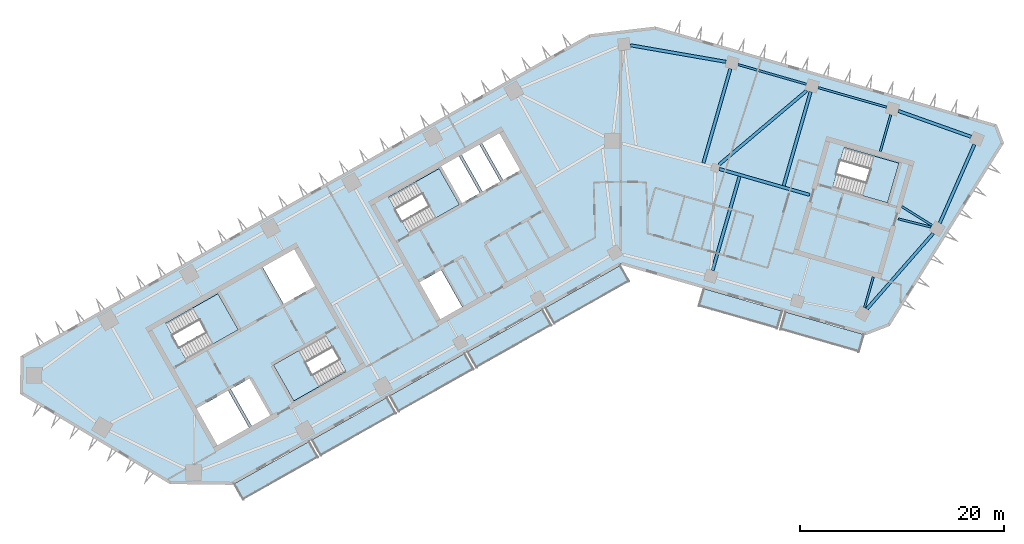
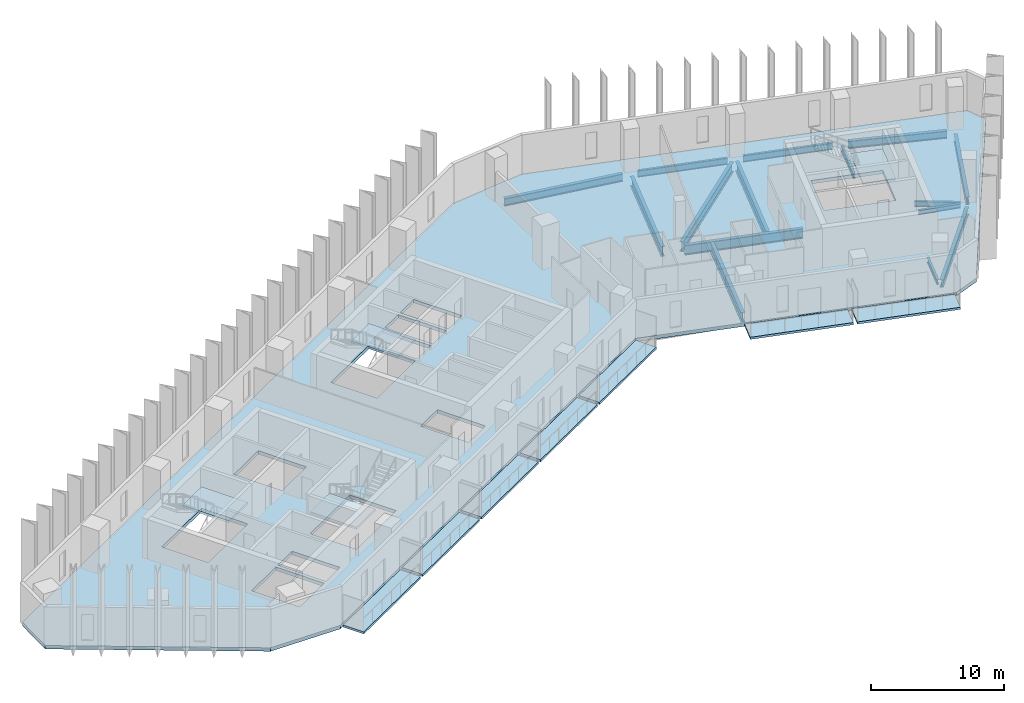
# One storey, part 2 of 10: 15 beams, 12 slabs, 4 elements without a shape of their own.
"""IFC4 building model written with IfcOpenShell, lengths in metres."""

from ifc_helpers import new_model, si_unit, direction, frame, origin, origin_2d, place, context, subcontext, project, spatial, polyline, i_section, outline, extrude, material, layer, layer_set, material_profile, profile_set, type_object, element, aggregate, save


model = new_model("IFC4")

# Units and contexts
model_context = context("Model", 3, precision=1e-05, world=origin(), true_north=direction((0.0, 1.0)))
body_context = subcontext(model_context, "Body", "Model", "MODEL_VIEW")
ifc_project = project(units=[si_unit("LENGTHUNIT", "METRE"), si_unit("AREAUNIT", "SQUARE_METRE"), si_unit("VOLUMEUNIT", "CUBIC_METRE"), si_unit("PLANEANGLEUNIT", "RADIAN"), si_unit("MASSUNIT", "GRAM", prefix="KILO")], contexts=[model_context])

# Site, building, storey
site_placement = place(None, origin())
site = spatial("IfcSite", under=ifc_project, at=site_placement, CompositionType="ELEMENT")
building_placement = place(site_placement, origin())
building = spatial("IfcBuilding", under=site, at=building_placement, Name="Binnacle Exchange Tower", CompositionType="ELEMENT")
storey_placement = place(building_placement, frame((0.0, 0.0, 186.89990234375)))
storey = spatial("IfcBuildingStorey", under=building, at=storey_placement, Name="L40", CompositionType="ELEMENT", Elevation=186.89990234375)

# Beams
ifc_material_1 = material(Name="Steel S355 (SHN355)", Category="steel")
ifc_material_profile_1 = material_profile(ifc_material_1, i_section(OverallWidth=0.201904296875, OverallDepth=0.612060546875, WebThickness=0.012939453125, FlangeThickness=0.02294921875, FilletRadius=0.02197265625, at=origin_2d()), Name="H 612x202x13x23")
ifc_profile_set_1 = profile_set([ifc_material_profile_1], Name="Steel S355 (SHN355)")
beam_type_1 = type_object("IfcBeamType", Name="Edge girder H 612x202x13x23 Steel S355 (SHN355)", PredefinedType="SPANDREL", material=ifc_profile_set_1)
for number, where, z_axis, x_axis, name in (
    (1, (18.16943359375, 65.54150390625, -0.6259765625), (-0.961255274252, 0.275659749916, 0.0), (-0.275659749916, -0.961255274252, 0.0), "S:BM:edge:L40:029"),
    (2, (26.02587890625, 63.288818359375, -0.6259765625), (-0.961267211469, 0.275618120149, 0.0), (-0.275618120149, -0.961267211469, 0.0), "S:BM:edge:L40:031"),
):
    element("IfcBeam", number, at=place(storey_placement, frame(where, z_axis=z_axis, x_axis=x_axis)), inside=storey, type_object=beam_type_1, Name=name, PredefinedType="SPANDREL", context=body_context, shape_type="SweptSolid", body=[
        extrude(i_section(OverallWidth=0.201904296875, OverallDepth=0.612060546875, WebThickness=0.012939453125, FlangeThickness=0.02294921875, FilletRadius=0.02197265625, at=origin_2d()), origin(), (0.0, 0.0, 1.0), 6.972900390625),
    ])
ifc_material_profile_2 = material_profile(ifc_material_1, i_section(OverallWidth=0.300048828125, OverallDepth=0.699951171875, WebThickness=0.012939453125, FlangeThickness=0.02392578125, FilletRadius=0.028076171875, at=origin_2d()), Name="H 700x300x13x24")
ifc_profile_set_2 = profile_set([ifc_material_profile_2], Name="Steel S355 (SHN355)")
beam_type_2 = type_object("IfcBeamType", Name="Edge girder H 700x300x13x24 Steel S355 (SHN355)", PredefinedType="SPANDREL", material=ifc_profile_set_2)
beam_1_placement = place(storey_placement, frame((31.234130859375, 51.94091796875, -0.669921875), z_axis=(0.403470856186, 0.914992496258, 0.0), x_axis=(-0.914992496258, 0.403470856186, 0.0)))
element("IfcBeam", 3, at=beam_1_placement, inside=storey, type_object=beam_type_2, Name="S:BM:edge:L40:032", PredefinedType="SPANDREL", context=body_context, shape_type="SweptSolid", body=[
    extrude(i_section(OverallWidth=0.300048828125, OverallDepth=0.699951171875, WebThickness=0.012939453125, FlangeThickness=0.02392578125, FilletRadius=0.028076171875, at=origin_2d()), origin(), (0.0, 0.0, 1.0), 8.412109375),
])
beam_2_placement = place(storey_placement, frame((34.30419921875, 60.38818359375, -0.669921875), z_axis=(-0.942327723458, 0.334691591771, 0.0), x_axis=(-0.334691591771, -0.942327723458, 0.0)))
element("IfcBeam", 4, at=beam_2_placement, inside=storey, type_object=beam_type_2, Name="S:BM:edge:L40:033", PredefinedType="SPANDREL", context=body_context, shape_type="SweptSolid", body=[
    extrude(i_section(OverallWidth=0.300048828125, OverallDepth=0.699951171875, WebThickness=0.012939453125, FlangeThickness=0.02392578125, FilletRadius=0.028076171875, at=origin_2d()), origin(), (0.0, 0.0, 1.0), 7.57177734375),
])
ifc_material_profile_3 = material_profile(ifc_material_1, i_section(OverallWidth=0.302001953125, OverallDepth=0.7080078125, WebThickness=0.014892578125, FlangeThickness=0.028076171875, FilletRadius=0.028076171875, at=origin_2d()), Name="H 708x302x15x28")
ifc_profile_set_3 = profile_set([ifc_material_profile_3], Name="Steel S355 (SHN355)")
beam_type_3 = type_object("IfcBeamType", Name="Edge girder H 708x302x15x28 Steel S355 (SHN355)", PredefinedType="SPANDREL", material=ifc_profile_set_3)
beam_3_placement = place(storey_placement, frame((10.29541015625, 67.73193359375, -0.673828125), z_axis=(-0.985309861954, 0.170776098841, 0.0), x_axis=(-0.170776098841, -0.985309861954, 0.0)))
element("IfcBeam", 5, at=beam_3_placement, inside=storey, type_object=beam_type_3, Name="S:BM:edge:L40:027", PredefinedType="SPANDREL", context=body_context, shape_type="SweptSolid", body=[
    extrude(i_section(OverallWidth=0.302001953125, OverallDepth=0.7080078125, WebThickness=0.014892578125, FlangeThickness=0.028076171875, FilletRadius=0.028076171875, at=origin_2d()), origin(), (0.0, 0.0, 1.0), 9.518310546875),
])
beam_4_placement = place(storey_placement, frame((24.09326171875, 43.5224609375, -0.673828125), z_axis=(0.659335841855, 0.751848553663, 0.0), x_axis=(-0.751848553663, 0.659335841855, 0.0)))
element("IfcBeam", 6, at=beam_4_placement, inside=storey, type_object=beam_type_3, Name="S:BM:edge:L40:030", PredefinedType="SPANDREL", context=body_context, shape_type="SweptSolid", body=[
    extrude(i_section(OverallWidth=0.302001953125, OverallDepth=0.7080078125, WebThickness=0.014892578125, FlangeThickness=0.028076171875, FilletRadius=0.028076171875, at=origin_2d()), origin(), (0.0, 0.0, 1.0), 9.851318359375),
])
ifc_material_profile_4 = material_profile(ifc_material_1, i_section(OverallWidth=0.199951171875, OverallDepth=0.449951171875, WebThickness=0.009033203125, FlangeThickness=0.013916015625, FilletRadius=0.01806640625, at=origin_2d()), Name="H 450x200x9x14")
ifc_profile_set_4 = profile_set([ifc_material_profile_4], Name="Steel S355 (SHN355)")
beam_type_4 = type_object("IfcBeamType", Name="Floor beam H 450x200x9x14 Steel S355 (SHN355)", PredefinedType="BEAM", material=ifc_profile_set_4)
beam_5_placement = place(storey_placement, frame((23.860595703125, 43.6572265625, -0.544921875), z_axis=(0.275637043779, 0.961261785414, 0.0), x_axis=(-0.961261785414, 0.275637043779, 0.0)))
element("IfcBeam", 7, at=beam_5_placement, inside=storey, type_object=beam_type_4, Name="S:BM:cross:L40:051", PredefinedType="BEAM", context=body_context, shape_type="SweptSolid", body=[
    extrude(i_section(OverallWidth=0.199951171875, OverallDepth=0.449951171875, WebThickness=0.009033203125, FlangeThickness=0.013916015625, FilletRadius=0.01806640625, at=origin_2d()), origin(), (0.0, 0.0, 1.0), 3.1328125),
])
ifc_material_profile_5 = material_profile(ifc_material_1, i_section(OverallWidth=0.199951171875, OverallDepth=0.5, WebThickness=0.010009765625, FlangeThickness=0.01611328125, FilletRadius=0.02001953125, at=origin_2d()), Name="H 500x200x10x16")
ifc_profile_set_5 = profile_set([ifc_material_profile_5], Name="Steel S355 (SHN355)")
beam_type_5 = type_object("IfcBeamType", Name="Floor beam H 500x200x10x16 Steel S355 (SHN355)", PredefinedType="BEAM", material=ifc_profile_set_5)
beam_6_placement = place(storey_placement, frame((26.437255859375, 62.546630859375, -0.56982421875), z_axis=(-0.275644746045, -0.961259576794, 0.0), x_axis=(0.961259576794, -0.275644746045, 0.0)))
element("IfcBeam", 8, at=beam_6_placement, inside=storey, type_object=beam_type_5, Name="S:BM:cross:L40:052", PredefinedType="BEAM", context=body_context, shape_type="SweptSolid", body=[
    extrude(i_section(OverallWidth=0.199951171875, OverallDepth=0.5, WebThickness=0.010009765625, FlangeThickness=0.01611328125, FilletRadius=0.02001953125, at=origin_2d()), origin(), (0.0, 0.0, 1.0), 3.735107421875),
])
beam_7_placement = place(storey_placement, frame((30.480712890625, 51.704345703125, -0.56982421875), z_axis=(-0.848084620748, 0.529860808186, 0.0), x_axis=(-0.529860808186, -0.848084620748, 0.0)))
element("IfcBeam", 9, at=beam_7_placement, inside=storey, type_object=beam_type_5, Name="S:BM:cross:L40:053", PredefinedType="BEAM", context=body_context, shape_type="SweptSolid", body=[
    extrude(i_section(OverallWidth=0.199951171875, OverallDepth=0.5, WebThickness=0.010009765625, FlangeThickness=0.01611328125, FilletRadius=0.02001953125, at=origin_2d()), origin(), (0.0, 0.0, 1.0), 3.495361328125),
])
ifc_material_profile_6 = material_profile(ifc_material_1, i_section(OverallWidth=0.302001953125, OverallDepth=0.912109375, WebThickness=0.01806640625, FlangeThickness=0.033935546875, FilletRadius=0.028076171875, at=origin_2d()), Name="H 912x302x18x34")
ifc_profile_set_6 = profile_set([ifc_material_profile_6], Name="Steel S355 (SHN355)")
beam_type_6 = type_object("IfcBeamType", Name="Floor beam H 912x302x18x34 Steel S355 (SHN355)", PredefinedType="BEAM", material=ifc_profile_set_6)
beam_8_placement = place(storey_placement, frame((8.974853515625, 47.299072265625, -0.77587890625), z_axis=(0.275642748758, 0.961260149521, 0.0), x_axis=(-0.961260149521, 0.275642748758, 0.0)))
element("IfcBeam", 10, at=beam_8_placement, inside=storey, type_object=beam_type_6, Name="S:BM:cross:L40:047", PredefinedType="BEAM", context=body_context, shape_type="SweptSolid", body=[
    extrude(i_section(OverallWidth=0.302001953125, OverallDepth=0.912109375, WebThickness=0.01806640625, FlangeThickness=0.033935546875, FilletRadius=0.028076171875, at=origin_2d()), origin(), (0.0, 0.0, 1.0), 9.585205078125),
])
beam_9_placement = place(storey_placement, frame((10.724609375, 67.05224609375, -0.77587890625), z_axis=(-0.275623285325, -0.961265730475, 0.0), x_axis=(0.961265730475, -0.275623285325, 0.0)))
element("IfcBeam", 11, at=beam_9_placement, inside=storey, type_object=beam_type_6, Name="S:BM:cross:L40:048", PredefinedType="BEAM", context=body_context, shape_type="SweptSolid", body=[
    extrude(i_section(OverallWidth=0.302001953125, OverallDepth=0.912109375, WebThickness=0.01806640625, FlangeThickness=0.033935546875, FilletRadius=0.028076171875, at=origin_2d()), origin(), (0.0, 0.0, 1.0), 9.61328125),
])
beam_10_placement = place(storey_placement, frame((18.580810546875, 64.79931640625, -0.77587890625), z_axis=(-0.275625961623, -0.961264963098, 0.0), x_axis=(0.961264963098, -0.275625961623, 0.0)))
element("IfcBeam", 12, at=beam_10_placement, inside=storey, type_object=beam_type_6, Name="S:BM:cross:L40:050", PredefinedType="BEAM", context=body_context, shape_type="SweptSolid", body=[
    extrude(i_section(OverallWidth=0.302001953125, OverallDepth=0.912109375, WebThickness=0.01806640625, FlangeThickness=0.033935546875, FilletRadius=0.028076171875, at=origin_2d()), origin(), (0.0, 0.0, 1.0), 9.5849609375),
])
ifc_material_profile_7 = material_profile(ifc_material_1, i_section(OverallWidth=0.199951171875, OverallDepth=0.39990234375, WebThickness=0.008056640625, FlangeThickness=0.012939453125, FilletRadius=0.01611328125, at=origin_2d()), Name="H 400x200x8x13")
ifc_profile_set_7 = profile_set([ifc_material_profile_7], Name="Steel S355 (SHN355)")
beam_type_7 = type_object("IfcBeamType", Name="Spine girder H 400x200x8x13 Steel S355 (SHN355)", PredefinedType="BEAM", material=ifc_profile_set_7)
beam_11_placement = place(storey_placement, frame((27.17138671875, 52.35400390625, -0.52001953125), z_axis=(0.969342999561, -0.245711516217, 0.0), x_axis=(0.245711516217, 0.969342999561, 0.0)))
element("IfcBeam", 13, at=beam_11_placement, inside=storey, type_object=beam_type_7, Name="S:BM:spine:L40:010", PredefinedType="BEAM", context=body_context, shape_type="SweptSolid", body=[
    extrude(i_section(OverallWidth=0.199951171875, OverallDepth=0.39990234375, WebThickness=0.008056640625, FlangeThickness=0.012939453125, FilletRadius=0.01611328125, at=origin_2d()), origin(), (0.0, 0.0, 1.0), 3.30859375),
])
ifc_material_profile_8 = material_profile(ifc_material_1, i_section(OverallWidth=0.302001953125, OverallDepth=0.912109375, WebThickness=0.01806640625, FlangeThickness=0.033935546875, FilletRadius=0.028076171875, at=origin_2d()), Name="H 912x302x18x34")
ifc_profile_set_8 = profile_set([ifc_material_profile_8], Name="Steel S355 (SHN355)")
beam_type_8 = type_object("IfcBeamType", Name="Spine girder H 912x302x18x34 Steel S355 (SHN355)", PredefinedType="BEAM", material=ifc_profile_set_8)
beam_12_placement = place(storey_placement, frame((9.60888671875, 57.660888671875, -0.77587890625), z_axis=(0.764057522707, 0.645148124073, 0.0), x_axis=(-0.645148124073, 0.764057522707, 0.0)))
element("IfcBeam", 14, at=beam_12_placement, inside=storey, type_object=beam_type_8, Name="S:BM:spine:L40:008", PredefinedType="BEAM", context=body_context, shape_type="SweptSolid", body=[
    extrude(i_section(OverallWidth=0.302001953125, OverallDepth=0.912109375, WebThickness=0.01806640625, FlangeThickness=0.033935546875, FilletRadius=0.028076171875, at=origin_2d()), origin(), (0.0, 0.0, 1.0), 11.237060546875),
])
beam_13_placement = place(storey_placement, frame((9.62548828125, 57.239990234375, -0.77587890625), z_axis=(0.961259511383, -0.275644974153, 0.0), x_axis=(0.275644974153, 0.961259511383, 0.0)))
element("IfcBeam", 15, at=beam_13_placement, inside=storey, type_object=beam_type_8, Name="S:BM:spine:L40:009", PredefinedType="BEAM", context=body_context, shape_type="SweptSolid", body=[
    extrude(i_section(OverallWidth=0.302001953125, OverallDepth=0.912109375, WebThickness=0.01806640625, FlangeThickness=0.033935546875, FilletRadius=0.028076171875, at=origin_2d()), origin(), (0.0, 0.0, 1.0), 9.213134765625),
])

# Slabs
ifc_material_2 = material(Name="Concrete C35/45", Category="concrete")
ifc_layer_1 = layer(ifc_material_2, 0.199951171875)
ifc_layer_set_1 = layer_set([ifc_layer_1], Name="BALCONY SLAB 200")
slab_type_1 = type_object("IfcSlabType", Name="BALCONY SLAB 200", PredefinedType="FLOOR", material=ifc_layer_set_1)
slab_1_placement = place(storey_placement, frame((0.0, 0.0, -0.199951171875)))
element("IfcSlab", 16, at=slab_1_placement, inside=storey, type_object=slab_type_1, Name="Balcony BA-G01-00 L40", PredefinedType="FLOOR", context=body_context, shape_type="SweptSolid", body=[
    extrude(outline(polyline([(-37.893310546875, 26.388671875), (-30.534912109375, 30.5517578125), (-29.648681640625, 28.985107421875), (-37.007080078125, 24.822021484375), (-37.893310546875, 26.388671875)])), origin(), (0.0, 0.0, 1.0), 0.199951171875),
])
slab_2_placement = place(storey_placement, frame((0.0, 0.0, -0.199951171875)))
element("IfcSlab", 17, at=slab_2_placement, inside=storey, type_object=slab_type_1, Name="Balcony BA-G01-01 L40", PredefinedType="FLOOR", context=body_context, shape_type="SweptSolid", body=[
    extrude(outline(polyline([(-30.27392578125, 30.699462890625), (-22.915283203125, 34.86279296875), (-22.029052734375, 33.296142578125), (-29.387451171875, 29.1328125), (-30.27392578125, 30.699462890625)])), origin(), (0.0, 0.0, 1.0), 0.199951171875),
])
slab_3_placement = place(storey_placement, frame((0.0, 0.0, -0.199951171875)))
element("IfcSlab", 18, at=slab_3_placement, inside=storey, type_object=slab_type_1, Name="Balcony BA-G01-02 L40", PredefinedType="FLOOR", context=body_context, shape_type="SweptSolid", body=[
    extrude(outline(polyline([(-22.654296875, 35.010498046875), (-15.2958984375, 39.173583984375), (-14.409423828125, 37.607177734375), (-21.767822265625, 33.44384765625), (-22.654296875, 35.010498046875)])), origin(), (0.0, 0.0, 1.0), 0.199951171875),
])
slab_4_placement = place(storey_placement, frame((0.0, 0.0, -0.199951171875)))
element("IfcSlab", 19, at=slab_4_placement, inside=storey, type_object=slab_type_1, Name="Balcony BA-G01-03 L40", PredefinedType="FLOOR", context=body_context, shape_type="SweptSolid", body=[
    extrude(outline(polyline([(-15.03466796875, 39.3212890625), (-7.67626953125, 43.484619140625), (-6.789794921875, 41.91796875), (-14.148193359375, 37.7548828125), (-15.03466796875, 39.3212890625)])), origin(), (0.0, 0.0, 1.0), 0.199951171875),
])
slab_5_placement = place(storey_placement, frame((0.0, 0.0, -0.199951171875)))
element("IfcSlab", 20, at=slab_5_placement, inside=storey, type_object=slab_type_1, Name="Balcony BA-G01-04 L40", PredefinedType="FLOOR", context=body_context, shape_type="SweptSolid", body=[
    extrude(outline(polyline([(-7.4150390625, 43.63232421875), (-0.056640625, 47.795654296875), (0.82958984375, 46.22900390625), (-6.52880859375, 42.06591796875), (-7.4150390625, 43.63232421875)])), origin(), (0.0, 0.0, 1.0), 0.199951171875),
])
slab_6_placement = place(storey_placement, frame((0.0, 0.0, -0.199951171875)))
element("IfcSlab", 21, at=slab_6_placement, inside=storey, type_object=slab_type_1, Name="Balcony BA-G02-01 L40", PredefinedType="FLOOR", context=body_context, shape_type="SweptSolid", body=[
    extrude(outline(polyline([(8.100830078125, 45.52099609375), (15.810546875, 43.310302734375), (15.314453125, 41.580078125), (7.604736328125, 43.790771484375), (8.100830078125, 45.52099609375)])), origin(), (0.0, 0.0, 1.0), 0.199951171875),
])
slab_7_placement = place(storey_placement, frame((0.0, 0.0, -0.199951171875)))
element("IfcSlab", 22, at=slab_7_placement, inside=storey, type_object=slab_type_1, Name="Balcony BA-G02-02 L40", PredefinedType="FLOOR", context=body_context, shape_type="SweptSolid", body=[
    extrude(outline(polyline([(16.09912109375, 43.2275390625), (23.80859375, 41.016845703125), (23.3125, 39.28662109375), (15.602783203125, 41.497314453125), (16.09912109375, 43.2275390625)])), origin(), (0.0, 0.0, 1.0), 0.199951171875),
])
ifc_layer_2 = layer(ifc_material_2, 0.320068359375)
ifc_layer_set_2 = layer_set([ifc_layer_2], Name="Floor slab 320 Concrete C35/45")
slab_type_2 = type_object("IfcSlabType", Name="Floor slab 320 Concrete C35/45", PredefinedType="FLOOR", material=ifc_layer_set_2)
slab_8_placement = place(storey_placement, frame((0.0, 0.0, -0.31982421875)))
element("IfcSlab", 23, at=slab_8_placement, inside=storey, type_object=slab_type_2, Name="S:SL:L40:01", PredefinedType="FLOOR", context=body_context, shape_type="SweptSolid", body=[
    extrude(outline(polyline([(-58.716064453125, 35.280029296875), (-58.669921875, 38.80615234375), (-3.046142578125, 70.276611328125), (3.364501953125, 71.035400390625), (36.71240234375, 61.472900390625), (37.359375, 59.787353515625), (26.23095703125, 41.978515625), (23.994140625, 41.119873046875), (0.0, 48.0), (-38.097900390625, 26.4453125), (-44.14404296875, 26.5244140625), (-58.716064453125, 35.280029296875)]), holes=[polyline([(-38.4794921875, 35.529296875), (-41.61279296875, 33.756591796875), (-39.544677734375, 30.10107421875), (-36.411376953125, 31.873779296875), (-38.4794921875, 35.529296875)]), polyline([(-36.390625, 36.711181640625), (-38.21826171875, 35.677001953125), (-36.150146484375, 32.021484375), (-34.322509765625, 33.0556640625), (-36.390625, 36.711181640625)]), polyline([(-32.04638671875, 34.515625), (-26.9287109375, 37.4111328125), (-28.923095703125, 40.93603515625), (-34.040771484375, 38.04052734375), (-32.04638671875, 34.515625)]), polyline([(-37.486572265625, 41.4912109375), (-39.480712890625, 45.01611328125), (-44.598388671875, 42.12060546875), (-42.604248046875, 38.595703125), (-37.486572265625, 41.4912109375)]), polyline([(-29.914306640625, 45.775390625), (-31.982666015625, 49.430908203125), (-35.115966796875, 47.657958984375), (-33.047607421875, 44.00244140625), (-29.914306640625, 45.775390625)]), polyline([(-17.81689453125, 57.27294921875), (-22.760498046875, 54.47607421875), (-20.76611328125, 50.950927734375), (-15.822509765625, 53.748046875), (-17.81689453125, 57.27294921875)]), polyline([(-15.53076171875, 43.6875), (-17.598876953125, 47.343017578125), (-19.77490234375, 46.11181640625), (-17.70654296875, 42.456298828125), (-15.53076171875, 43.6875)]), polyline([(-13.82080078125, 54.880615234375), (-15.888916015625, 58.5361328125), (-17.629638671875, 57.55126953125), (-15.5615234375, 53.895751953125), (-13.82080078125, 54.880615234375)]), polyline([(27.227783203125, 57.810302734375), (21.864013671875, 59.348388671875), (20.74755859375, 55.455078125), (26.111328125, 53.9169921875), (27.227783203125, 57.810302734375)]), polyline([(-11.819091796875, 56.01318359375), (-13.88720703125, 59.668701171875), (-15.6279296875, 58.683837890625), (-13.559814453125, 55.0283203125), (-11.819091796875, 56.01318359375)]), polyline([(-9.817138671875, 57.145751953125), (-11.885498046875, 60.80126953125), (-13.626220703125, 59.81640625), (-11.557861328125, 56.160888671875), (-9.817138671875, 57.145751953125)])]), origin(), (0.0, 0.0, 1.0), 0.31982421875),
])

# Stair, slab
stair_type = type_object("IfcStairType", Name="STAIR 24 RISERS 167", PredefinedType="HALF_TURN_STAIR", material=ifc_material_2)
stair_1_placement = place(storey_placement, origin())
stair_1 = element("IfcStair", 24, at=stair_1_placement, inside=storey, type_object=stair_type, Name="L40 Escape stair A1", PredefinedType="HALF_TURN_STAIR")
ifc_layer_3 = layer(ifc_material_2, 0.199951171875)
ifc_layer_set_3 = layer_set([ifc_layer_3], Name="STAIR LANDING 200")
slab_type_3 = type_object("IfcSlabType", Name="STAIR LANDING 200", PredefinedType="LANDING", material=ifc_layer_set_3)
slab_9_placement = place(storey_placement, frame((0.0, 0.0, 1.800048828125)))
slab_9 = element("IfcSlab", 25, at=slab_9_placement, type_object=slab_type_3, Name="STA1 landing 1", PredefinedType="LANDING", context=body_context, shape_type="SweptSolid", body=[
    extrude(outline(polyline([(-39.958251953125, 40.0927734375), (-37.486572265625, 41.4912109375), (-39.48095703125, 45.01611328125), (-41.95263671875, 43.61767578125), (-39.958251953125, 40.0927734375)])), origin(), (0.0, 0.0, 1.0), 0.199951171875),
])
aggregate(stair_1, [slab_9])

stair_2_placement = place(storey_placement, origin())
stair_2 = element("IfcStair", 26, at=stair_2_placement, inside=storey, type_object=stair_type, Name="L40 Escape stair A2", PredefinedType="HALF_TURN_STAIR")
slab_10_placement = place(storey_placement, frame((0.0, 0.0, 1.800048828125)))
slab_10 = element("IfcSlab", 27, at=slab_10_placement, type_object=slab_type_3, Name="STA2 landing 1", PredefinedType="LANDING", context=body_context, shape_type="SweptSolid", body=[
    extrude(outline(polyline([(-31.56884765625, 39.439208984375), (-34.040771484375, 38.04052734375), (-32.04638671875, 34.515625), (-29.574462890625, 35.9140625), (-31.56884765625, 39.439208984375)])), origin(), (0.0, 0.0, 1.0), 0.199951171875),
])
aggregate(stair_2, [slab_10])

stair_3_placement = place(storey_placement, origin())
stair_3 = element("IfcStair", 28, at=stair_3_placement, inside=storey, type_object=stair_type, Name="L40 Escape stair C1", PredefinedType="HALF_TURN_STAIR")
slab_11_placement = place(storey_placement, frame((0.0, 0.0, 1.800048828125)))
slab_11 = element("IfcSlab", 29, at=slab_11_placement, type_object=slab_type_3, Name="STC1 landing 1", PredefinedType="LANDING", context=body_context, shape_type="SweptSolid", body=[
    extrude(outline(polyline([(-18.120361328125, 52.447998046875), (-15.822509765625, 53.748046875), (-17.81689453125, 57.27294921875), (-20.11474609375, 55.972900390625), (-18.120361328125, 52.447998046875)])), origin(), (0.0, 0.0, 1.0), 0.199951171875),
])
aggregate(stair_3, [slab_11])

stair_4_placement = place(storey_placement, origin())
stair_4 = element("IfcStair", 30, at=stair_4_placement, inside=storey, type_object=stair_type, Name="L40 Escape stair D1", PredefinedType="HALF_TURN_STAIR")
slab_12_placement = place(storey_placement, frame((0.0, 0.0, 1.800048828125)))
slab_12 = element("IfcSlab", 31, at=slab_12_placement, type_object=slab_type_3, Name="STD1 landing 1", PredefinedType="LANDING", context=body_context, shape_type="SweptSolid", body=[
    extrude(outline(polyline([(23.669677734375, 54.6171875), (26.111328125, 53.917236328125), (27.227783203125, 57.810302734375), (24.7861328125, 58.51025390625), (23.669677734375, 54.6171875)])), origin(), (0.0, 0.0, 1.0), 0.199951171875),
])
aggregate(stair_4, [slab_12])

save(model, "model.ifc")
